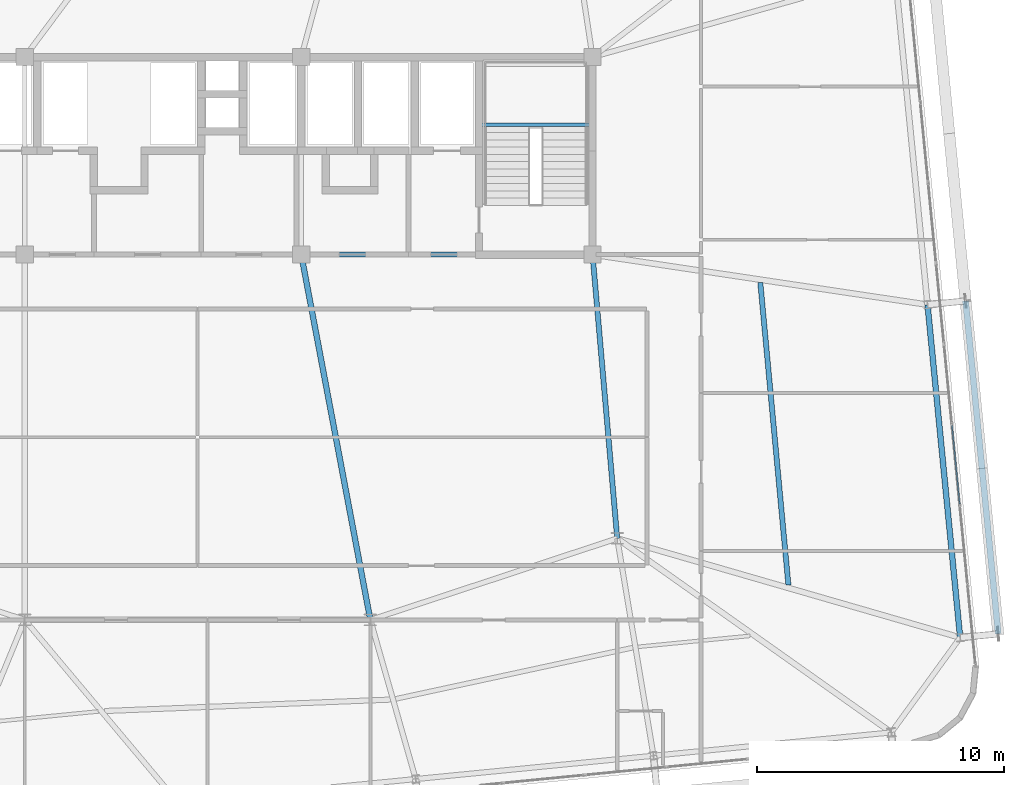
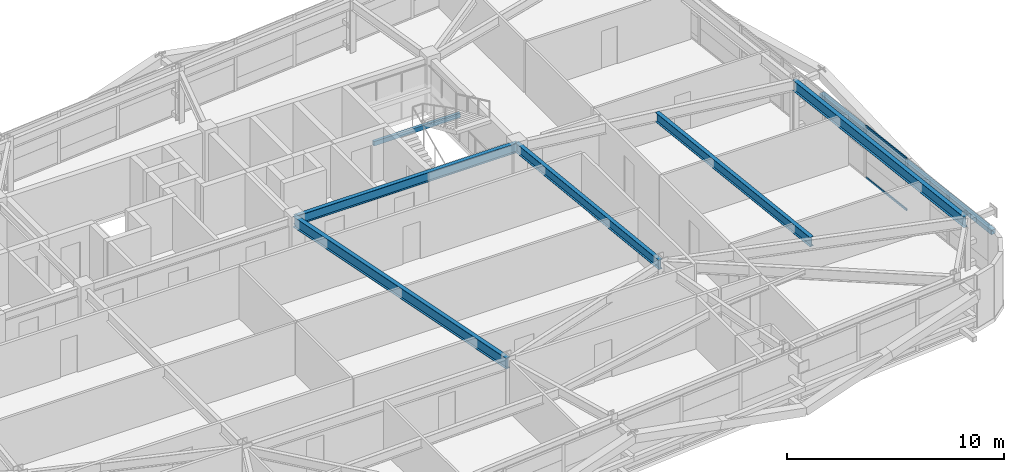
# One storey, part 23 of 52: 6 beams, 3 members, 1 element without a shape of its own.
"""IFC4 building model written with IfcOpenShell, lengths in metres."""

import ifcopenshell
import ifcopenshell.guid

model = None  # the IFC model being written
_history = None  # IfcOwnerHistory: only IFC2X3 demands one
_inside = {}  # id of a spatial element -> (the spatial element, [elements in it])
_under = {}  # id of a project, library or spatial element -> (it, [spatial elements below it])
_declared = {}  # id of a project -> (the project, [libraries it declares])
_typed = {}  # id of a type object -> (the type object, [elements of that type])
_made_of = {}  # id of a material, layer set ... -> (it, [elements and type objects made of it])


def new_model(schema):
    """Start an empty IFC model of exactly this schema.

    Asked for "IFC4X3", IfcOpenShell would pick the latest addendum, in which some entities
    have other attributes; the version numbers below select the first issue.
    IFC2X3 requires an IfcOwnerHistory on every rooted entity: one is made here for all.
    """
    global model, _history
    if schema == "IFC4X3":
        model = ifcopenshell.file(schema_version=(4, 3, 0, 0))
    else:
        model = ifcopenshell.file(schema=schema)
    _inside.clear()
    _under.clear()
    _declared.clear()
    _typed.clear()
    _made_of.clear()
    _history = None
    if model.schema == "IFC2X3":
        org = make("IfcOrganization", Name="unknown")
        user = make(
            "IfcPersonAndOrganization",
            ThePerson=make("IfcPerson", FamilyName="unknown"),
            TheOrganization=org,
        )
        app = make(
            "IfcApplication",
            ApplicationDeveloper=org,
            Version="unknown",
            ApplicationFullName="unknown",
            ApplicationIdentifier="unknown",
        )
        _history = make(
            "IfcOwnerHistory",
            OwningUser=user,
            OwningApplication=app,
            ChangeAction="ADDED",
            CreationDate=0,
        )
    return model


def make(cls, **values):
    """One entity of the class cls with the attributes given. An attribute that is None is left unset."""
    return model.create_entity(
        cls, **{name: value for name, value in values.items() if value is not None}
    )


def rooted(cls, **values):
    """An entity with a GlobalId (a new one), such as an element, a storey or a relation."""
    return make(cls, GlobalId=ifcopenshell.guid.new(), OwnerHistory=_history, **values)


def si_unit(unit_type, name, prefix=None):
    """IfcSIUnit, for example si_unit("LENGTHUNIT", "METRE", prefix="MILLI")."""
    return make("IfcSIUnit", UnitType=unit_type, Prefix=prefix, Name=name)


def assignment(units):
    """IfcUnitAssignment: the units of a project."""
    return None if units is None else make("IfcUnitAssignment", Units=units)


def point(xyz):
    """IfcCartesianPoint."""
    return None if xyz is None else make("IfcCartesianPoint", Coordinates=xyz)


def direction(xyz):
    """IfcDirection."""
    return None if xyz is None else make("IfcDirection", DirectionRatios=xyz)


def frame(location, z_axis=None, x_axis=None):
    """IfcAxis2Placement3D, a coordinate frame: its origin and axes. An axis left out is left unset."""
    return make(
        "IfcAxis2Placement3D",
        Location=point(location),
        Axis=direction(z_axis),
        RefDirection=direction(x_axis),
    )


def frame_2d(location, x_axis=None):
    """IfcAxis2Placement2D, a coordinate frame in the plane: its origin and x axis."""
    return make(
        "IfcAxis2Placement2D", Location=point(location), RefDirection=direction(x_axis)
    )


def origin():
    """The frame at (0, 0, 0) with its axes left unset."""
    return frame((0.0, 0.0, 0.0))


def origin_2d():
    """The frame at (0, 0) in the plane with its x axis left unset."""
    return frame_2d((0.0, 0.0))


def place(relative_to, where):
    """IfcLocalPlacement: puts the frame where relative to a parent placement (None: the world)."""
    return make(
        "IfcLocalPlacement", PlacementRelTo=relative_to, RelativePlacement=where
    )


def context(
    kind, dimensions, precision=None, world=None, true_north=None, identifier=None
):
    """IfcGeometricRepresentationContext, for example the 3D "Model" context."""
    return make(
        "IfcGeometricRepresentationContext",
        ContextIdentifier=identifier,
        ContextType=kind,
        CoordinateSpaceDimension=dimensions,
        Precision=precision,
        WorldCoordinateSystem=world,
        TrueNorth=true_north,
    )


def subcontext(parent, identifier, kind, view, scale=None):
    """IfcGeometricRepresentationSubContext, for example "Body" below "Model"."""
    return make(
        "IfcGeometricRepresentationSubContext",
        ContextIdentifier=identifier,
        ContextType=kind,
        ParentContext=parent,
        TargetScale=scale,
        TargetView=view,
    )


def project(units=None, contexts=None):
    """IfcProject with its units and contexts."""
    return rooted(
        "IfcProject",
        Name="project",
        RepresentationContexts=contexts,
        UnitsInContext=assignment(units),
    )


def spatial(cls, under=None, at=None, **own):
    """A site, building, storey or space (cls), placed at a placement, below another one or the project."""
    s = rooted(cls, ObjectPlacement=at, **own)
    if under is not None:
        _under.setdefault(under.id(), (under, []))[1].append(s)
    return s


def profile(cls, at=None, kind="AREA", **sizes):
    """A parametric profile (cls). Its sizes go by their IFC names, for example OverallWidth=200.0."""
    return make(cls, ProfileType=kind, Position=at, **sizes)


def hollow_rectangle(**sizes):
    """IfcRectangleHollowProfileDef."""
    return profile("IfcRectangleHollowProfileDef", **sizes)


def i_section(**sizes):
    """IfcIShapeProfileDef."""
    return profile("IfcIShapeProfileDef", **sizes)


def extrude(swept, where, along, depth):
    """IfcExtrudedAreaSolid: the profile swept, set in the frame where, extruded along a direction by depth."""
    return make(
        "IfcExtrudedAreaSolid",
        SweptArea=swept,
        Position=where,
        ExtrudedDirection=direction(along),
        Depth=depth,
    )


def shape(context_of_items, identifier, shape_type, items):
    """IfcShapeRepresentation: the items that make up one representation, for example the "Body"."""
    return make(
        "IfcShapeRepresentation",
        ContextOfItems=context_of_items,
        RepresentationIdentifier=identifier,
        RepresentationType=shape_type,
        Items=items,
    )


def source(mapping_origin, context_of_items, identifier, shape_type, items):
    """IfcRepresentationMap: a shape defined once, which mapped items show again and again."""
    return make(
        "IfcRepresentationMap",
        MappingOrigin=mapping_origin,
        MappedRepresentation=shape(context_of_items, identifier, shape_type, items),
    )


def transform(
    local_origin,
    x_axis=None,
    y_axis=None,
    z_axis=None,
    scale=None,
    scale2=None,
    scale3=None,
    uniform=True,
):
    """IfcCartesianTransformationOperator3D, or its non-uniform kind. x_axis, y_axis, z_axis: its Axis1, 2, 3."""
    if uniform:
        return make(
            "IfcCartesianTransformationOperator3D",
            Axis1=direction(x_axis),
            Axis2=direction(y_axis),
            LocalOrigin=point(local_origin),
            Scale=scale,
            Axis3=direction(z_axis),
        )
    return make(
        "IfcCartesianTransformationOperator3DnonUniform",
        Axis1=direction(x_axis),
        Axis2=direction(y_axis),
        LocalOrigin=point(local_origin),
        Scale=scale,
        Axis3=direction(z_axis),
        Scale2=scale2,
        Scale3=scale3,
    )


def mapped(mapping_source, mapping_target):
    """IfcMappedItem: shows the shape of a source again, moved by a transform."""
    return make(
        "IfcMappedItem", MappingSource=mapping_source, MappingTarget=mapping_target
    )


def material(Name=None, Category=None):
    """IfcMaterial."""
    return make("IfcMaterial", Name=Name, Category=Category)


def layer(
    of_material, thickness, ventilated=None, Name=None, Category=None, Priority=None
):
    """IfcMaterialLayer: one layer of a wall or slab, of a material (None: an air gap)."""
    return make(
        "IfcMaterialLayer",
        Material=of_material,
        LayerThickness=thickness,
        IsVentilated=ventilated,
        Name=Name,
        Category=Category,
        Priority=Priority,
    )


def layer_set(layers, Name=None):
    """IfcMaterialLayerSet."""
    return make("IfcMaterialLayerSet", MaterialLayers=layers, LayerSetName=Name)


def material_profile(
    of_material, cross_section, Name=None, Category=None, Priority=None
):
    """IfcMaterialProfile: a cross section and its material."""
    return make(
        "IfcMaterialProfile",
        Name=Name,
        Material=of_material,
        Profile=cross_section,
        Priority=Priority,
        Category=Category,
    )


def profile_set(profiles, Name=None, composite=None):
    """IfcMaterialProfileSet."""
    return make(
        "IfcMaterialProfileSet",
        Name=Name,
        MaterialProfiles=profiles,
        CompositeProfile=composite,
    )


def made_of(thing, what):
    """Note that an element or type object is made of a material, layer set ...; save() writes the relation."""
    if what is not None:
        _made_of.setdefault(what.id(), (what, []))[1].append(thing)
    return thing


def type_object(cls, material=None, **own):
    """A type object (cls), such as IfcWallType, which elements share."""
    return made_of(rooted(cls, **own), material)


def element(
    cls,
    number,
    at=None,
    inside=None,
    cuts=None,
    type_object=None,
    material=None,
    context=None,
    identifier="Body",
    shape_type=None,
    held_by="IfcProductDefinitionShape",
    body=None,
    shapes=None,
    **own,
):
    """One element of the class cls, such as IfcWall. Its Tag is "e" and its number.

    at: its placement. inside: the storey or other place that contains it. cuts: it is an
    opening in that element (IfcRelVoidsElement). A single representation is given by context,
    identifier, shape_type and body (its items); several are given by shapes. held_by: the class
    of the entity that holds the representations. save() writes the other relations.
    """
    e = rooted(cls, Tag="e%d" % number, ObjectPlacement=at, **own)
    if body is not None:
        shapes = [shape(context, identifier, shape_type, body)]
    if shapes is not None:
        e.Representation = make(held_by, Representations=shapes)
    if inside is not None:
        _inside.setdefault(inside.id(), (inside, []))[1].append(e)
    if cuts is not None:
        rooted(
            "IfcRelVoidsElement", RelatingBuildingElement=cuts, RelatedOpeningElement=e
        )
    if type_object is not None:
        _typed.setdefault(type_object.id(), (type_object, []))[1].append(e)
    return made_of(e, material)


def aggregate(whole, parts):
    """IfcRelAggregates: a whole, such as a stair, and the parts it consists of."""
    return rooted("IfcRelAggregates", RelatingObject=whole, RelatedObjects=parts)


def save(model, path):
    """Write the relations noted so far, then the file.

    IfcRelAggregates (storeys below a building ...), IfcRelContainedInSpatialStructure (elements
    in a storey), IfcRelDefinesByType, IfcRelAssociatesMaterial and IfcRelDeclares: one each for
    every whole, place, type object, material and project.
    """
    for whole, parts in _under.values():
        aggregate(whole, parts)
    for where, things in _inside.values():
        rooted(
            "IfcRelContainedInSpatialStructure",
            RelatedElements=things,
            RelatingStructure=where,
        )
    for kind, things in _typed.values():
        rooted("IfcRelDefinesByType", RelatedObjects=things, RelatingType=kind)
    for what, things in _made_of.values():
        rooted("IfcRelAssociatesMaterial", RelatedObjects=things, RelatingMaterial=what)
    for by, libraries in _declared.values():
        rooted("IfcRelDeclares", RelatingContext=by, RelatedDefinitions=libraries)
    model.write(path)


model = new_model("IFC4")

# Units and contexts
model_context = context("Model", 3, precision=1e-05, world=origin(), true_north=direction((0.0, 1.0)))
body_context = subcontext(model_context, "Body", "Model", "MODEL_VIEW")
ifc_project = project(units=[si_unit("LENGTHUNIT", "METRE"), si_unit("AREAUNIT", "SQUARE_METRE"), si_unit("VOLUMEUNIT", "CUBIC_METRE"), si_unit("PLANEANGLEUNIT", "RADIAN"), si_unit("MASSUNIT", "GRAM", prefix="KILO")], contexts=[model_context])

# Site, building, storey
site_placement = place(None, origin())
site = spatial("IfcSite", under=ifc_project, at=site_placement, CompositionType="ELEMENT")
building_placement = place(site_placement, origin())
building = spatial("IfcBuilding", under=site, at=building_placement, Name="Taldren Reach Tower", CompositionType="ELEMENT")
storey_placement = place(building_placement, frame((0.0, 0.0, 74.550048828125)))
storey = spatial("IfcBuildingStorey", under=building, at=storey_placement, Name="L22", CompositionType="ELEMENT", Elevation=74.550048828125)

# Beams
ifc_material_1 = material(Name="Steel Gr 350 (350PLUS)", Category="steel")
ifc_material_profile_1 = material_profile(ifc_material_1, i_section(OverallWidth=0.208984375, OverallDepth=0.532958984375, WebThickness=0.01025390625, FlangeThickness=0.015625, at=origin_2d()), Name="530UB92.4")
ifc_profile_set_1 = profile_set([ifc_material_profile_1], Name="Steel Gr 350 (350PLUS)")
beam_type_1 = type_object("IfcBeamType", Name="BM-UB530A", PredefinedType="BEAM", material=ifc_profile_set_1)
shared_shape_1 = source(origin(), body_context, "Body", "SweptSolid", [
    extrude(i_section(OverallWidth=0.208984375, OverallDepth=0.532958984375, WebThickness=0.01025390625, FlangeThickness=0.015625, at=origin_2d()), origin(), (0.0, 0.0, 1.0), 11.800048828125),
])
beam_1_placement = place(storey_placement, frame((39.199951171875, 24.0, 2.663330078125), z_axis=(1.0, 0.0, 0.0), x_axis=(0.0, 1.0, 0.0)))
element("IfcBeam", 1, at=beam_1_placement, inside=storey, type_object=beam_type_1, Name="Core-spine girder L22-SP03", PredefinedType="BEAM", context=body_context, shape_type="MappedRepresentation", body=[
    mapped(shared_shape_1, transform((0.0, 0.0, 0.0), scale=1.0)),
])
shared_shape_2 = source(origin(), body_context, "Body", "SweptSolid", [
    extrude(i_section(OverallWidth=0.208984375, OverallDepth=0.532958984375, WebThickness=0.01025390625, FlangeThickness=0.015625, at=origin_2d()), origin(), (0.0, 0.0, 1.0), 11.54345703125),
])
beam_2_placement = place(storey_placement, frame((52.0, 12.5, 2.663330078125), z_axis=(-0.086629616365, 0.996240588196, 0.0), x_axis=(-0.996240588196, -0.086629616365, 0.0)))
element("IfcBeam", 2, at=beam_2_placement, inside=storey, type_object=beam_type_1, Name="Core-spine girder L22-SP13", PredefinedType="BEAM", context=body_context, shape_type="MappedRepresentation", body=[
    mapped(shared_shape_2, transform((0.0, 0.0, 0.0), scale=1.0)),
])
ifc_material_profile_2 = material_profile(ifc_material_1, i_section(OverallWidth=0.22802734375, OverallDepth=0.60205078125, WebThickness=0.010498046875, FlangeThickness=0.014892578125, at=origin_2d()), Name="610UB101")
ifc_profile_set_2 = profile_set([ifc_material_profile_2], Name="Steel Gr 350 (350PLUS)")
beam_type_2 = type_object("IfcBeamType", Name="BM-UB610B", PredefinedType="BEAM", material=ifc_profile_set_2)
shared_shape_3 = source(origin(), body_context, "Body", "SweptSolid", [
    extrude(i_section(OverallWidth=0.22802734375, OverallDepth=0.60205078125, WebThickness=0.010498046875, FlangeThickness=0.014892578125, at=origin_2d()), origin(), (0.0, 0.0, 1.0), 15.0625),
])
beam_3_placement = place(storey_placement, frame((39.199951171875, 24.0, 2.62890625), z_axis=(0.185894205668, -0.982569765614, 0.0), x_axis=(0.982569765614, 0.185894205668, 0.0)))
element("IfcBeam", 3, at=beam_3_placement, inside=storey, type_object=beam_type_2, Name="Core-spine girder L22-SP15", PredefinedType="BEAM", context=body_context, shape_type="MappedRepresentation", body=[
    mapped(shared_shape_3, transform((0.0, 0.0, 0.0), scale=1.0)),
])
shared_shape_4 = source(origin(), body_context, "Body", "SweptSolid", [
    extrude(i_section(OverallWidth=0.22802734375, OverallDepth=0.60205078125, WebThickness=0.010498046875, FlangeThickness=0.014892578125, at=origin_2d()), origin(), (0.0, 0.0, 1.0), 13.550048828125),
])
beam_4_placement = place(storey_placement, frame((65.8916015625, 8.483642578125, 2.62890625), z_axis=(-0.097566175139, 0.995229039703, 0.0), x_axis=(-0.995229039703, -0.097566175139, 0.0)))
element("IfcBeam", 4, at=beam_4_placement, inside=storey, type_object=beam_type_2, Name="Perimeter gable girder B2 E1-E2 L22", PredefinedType="BEAM", context=body_context, shape_type="MappedRepresentation", body=[
    mapped(shared_shape_4, transform((0.0, 0.0, 0.0), scale=1.0)),
])
shared_shape_5 = source(origin(), body_context, "Body", "SweptSolid", [
    extrude(i_section(OverallWidth=0.208984375, OverallDepth=0.532958984375, WebThickness=0.01025390625, FlangeThickness=0.015625, at=origin_2d()), origin(), (0.0, 0.0, 1.0), 12.306396484375),
])
beam_5_placement = place(storey_placement, frame((58.9345703125, 10.61376953125, 2.663330078125), z_axis=(-0.092546068089, 0.995708403741, 0.0), x_axis=(-0.995708403741, -0.092546068089, 0.0)))
element("IfcBeam", 5, at=beam_5_placement, inside=storey, type_object=beam_type_1, Name="Secondary floor beam B2 J7 L22", PredefinedType="BEAM", context=body_context, shape_type="MappedRepresentation", body=[
    mapped(shared_shape_5, transform((0.0, 0.0, 0.0), scale=1.0)),
])

# Member
ifc_material_2 = material(Name="Steel Gr 350 (C350L0)", Category="steel")
ifc_material_profile_3 = material_profile(ifc_material_2, hollow_rectangle(XDim=0.25, YDim=0.25, WallThickness=0.010009765625, at=origin_2d()), Name="250x250x10.0SHS")
ifc_profile_set_3 = profile_set([ifc_material_profile_3], Name="Steel Gr 350 (C350L0)")
member_type_1 = type_object("IfcMemberType", Name="MB-POST250", PredefinedType="POST", material=ifc_profile_set_3)
shared_shape_6 = source(origin(), body_context, "Body", "SweptSolid", [
    extrude(hollow_rectangle(XDim=0.25, YDim=0.25, WallThickness=0.010009765625, at=origin_2d()), origin(), (0.0, 0.0, 1.0), 13.550048828125),
])
member_1_placement = place(storey_placement, frame((67.434326171875, 8.634765625, 1.43505859375), z_axis=(-0.097584021339, 0.995227290009, 0.0), x_axis=(-0.995227290009, -0.097584021339, 0.0)))
element("IfcMember", 6, at=member_1_placement, inside=storey, type_object=member_type_1, Name="Exoskeleton mid-height ring chord B2-E1 L22", PredefinedType="POST", context=body_context, shape_type="MappedRepresentation", body=[
    mapped(shared_shape_6, transform((0.0, 0.0, 0.0), scale=1.0)),
])

# Curtain wall, members
ifc_material_3 = material(Name="Aluminium and Low-E Glass Unitised System", Category="aluminium")
ifc_layer = layer(ifc_material_3, 0.159912109375)
ifc_layer_set = layer_set([ifc_layer], Name="Aluminium and Low-E Glass Unitised System")
curtain_wall_type = type_object("IfcCurtainWallType", Name="CW-SYS-3", PredefinedType="NOTDEFINED", material=ifc_layer_set)
curtain_wall_placement = place(storey_placement, origin())
curtain_wall = element("IfcCurtainWall", 7, at=curtain_wall_placement, inside=storey, type_object=curtain_wall_type, Name="Unitised curtain wall CW-L22-E", PredefinedType="NOTDEFINED")
ifc_material_4 = material(Name="Anodised Aluminium 6063-T6", Category="aluminium")
ifc_material_profile_4 = material_profile(ifc_material_4, hollow_rectangle(XDim=0.054931640625, YDim=0.1201171875, WallThickness=0.0029296875, at=origin_2d()), Name="ALU-120x55x3RHS")
ifc_profile_set_4 = profile_set([ifc_material_profile_4], Name="Anodised Aluminium 6063-T6")
member_type_2 = type_object("IfcMemberType", Name="CW-TRN-135", PredefinedType="USERDEFINED", material=ifc_profile_set_4)
shared_shape_7 = source(origin(), body_context, "Body", "SweptSolid", [
    extrude(hollow_rectangle(XDim=0.054931640625, YDim=0.1201171875, WallThickness=0.0029296875, at=origin_2d()), origin(), (0.0, 0.0, 1.0), 3.212646484375),
])
member_2_placement = place(storey_placement, frame((65.87353515625, 13.895751953125, 0.02734375), z_axis=(-0.097577327663, 0.995227946315, 0.0), x_axis=(-0.995227946315, -0.097577327663, 0.0)))
member_2 = element("IfcMember", 8, at=member_2_placement, type_object=member_type_2, Name="CW-3 transom 3.1", ObjectType="TRANSOM", PredefinedType="USERDEFINED", context=body_context, shape_type="MappedRepresentation", body=[
    mapped(shared_shape_7, transform((0.0, 0.0, 0.0), scale=1.0)),
])
member_3_placement = place(storey_placement, frame((65.87353515625, 13.895751953125, 2.90234375), z_axis=(-0.097577327663, 0.995227946315, 0.0), x_axis=(-0.995227946315, -0.097577327663, 0.0)))
member_3 = element("IfcMember", 9, at=member_3_placement, type_object=member_type_2, Name="CW-3 transom 3.2", ObjectType="TRANSOM", PredefinedType="USERDEFINED", context=body_context, shape_type="MappedRepresentation", body=[
    mapped(shared_shape_7, transform((0.0, 0.0, 0.0), scale=1.0)),
])
aggregate(curtain_wall, [member_2, member_3])

# Beam
ifc_material_profile_5 = material_profile(ifc_material_2, hollow_rectangle(XDim=0.14990234375, YDim=0.25, WallThickness=0.009033203125, at=origin_2d()), Name="250x150x9.0RHS")
ifc_profile_set_5 = profile_set([ifc_material_profile_5], Name="Steel Gr 350 (C350L0)")
beam_type_3 = type_object("IfcBeamType", Name="LN-RHS250", PredefinedType="LINTEL", material=ifc_profile_set_5)
shared_shape_8 = source(origin(), body_context, "Body", "SweptSolid", [
    extrude(hollow_rectangle(XDim=0.14990234375, YDim=0.25, WallThickness=0.009033203125, at=origin_2d()), origin(), (0.0, 0.0, 1.0), 4.60009765625),
])
beam_6_placement = place(storey_placement, frame((46.39990234375, 29.2548828125, 1.27001953125), z_axis=(1.0, 0.0, 0.0), x_axis=(0.0, 1.0, 0.0)))
element("IfcBeam", 10, at=beam_6_placement, inside=storey, type_object=beam_type_3, Name="Stair half-landing support beam ST2-L22-1", PredefinedType="LINTEL", context=body_context, shape_type="MappedRepresentation", body=[
    mapped(shared_shape_8, transform((0.0, 0.0, 0.0), scale=1.0)),
])

save(model, "model.ifc")
